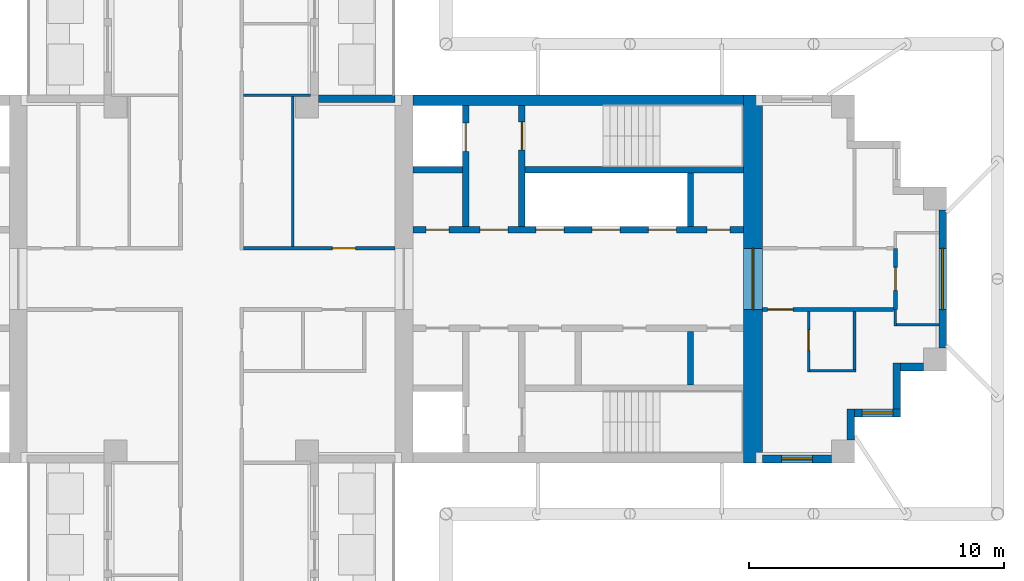
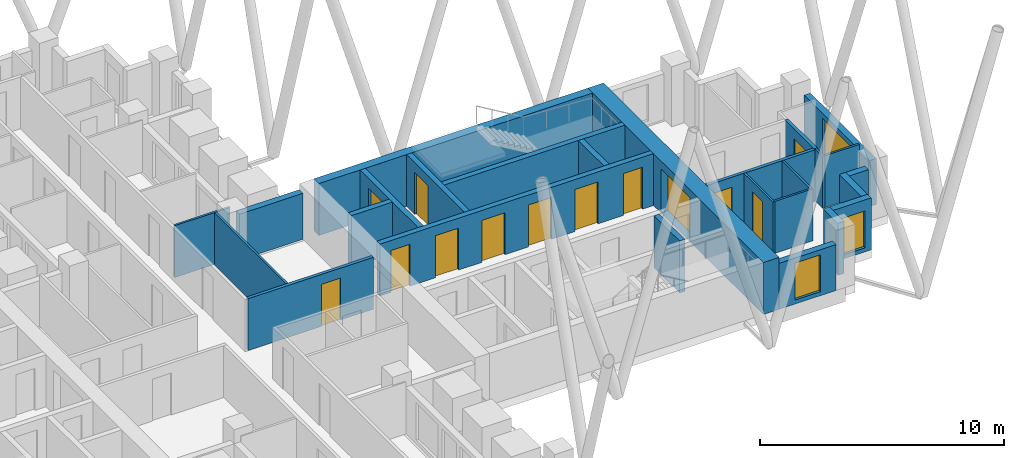
# One storey, part 6 of 11: 26 walls, 13 doors, 3 windows, 16 openings.
"""IFC4 building model written with IfcOpenShell, lengths in metres."""

from ifc_helpers import new_model, si_unit, direction, frame, frame_2d, origin, place, context, subcontext, project, spatial, rectangle, extrude, material, layer, layer_set, type_object, element, fill, save


model = new_model("IFC4")

# Units and contexts
model_context = context("Model", 3, precision=1e-05, world=origin(), true_north=direction((0.0, 1.0)))
body_context = subcontext(model_context, "Body", "Model", "MODEL_VIEW")
ifc_project = project(units=[si_unit("LENGTHUNIT", "METRE"), si_unit("AREAUNIT", "SQUARE_METRE"), si_unit("VOLUMEUNIT", "CUBIC_METRE"), si_unit("PLANEANGLEUNIT", "RADIAN"), si_unit("MASSUNIT", "GRAM", prefix="KILO")], contexts=[model_context])

# Site, building, storey
site_placement = place(None, origin())
site = spatial("IfcSite", under=ifc_project, at=site_placement, CompositionType="ELEMENT")
building_placement = place(site_placement, origin())
building = spatial("IfcBuilding", under=site, at=building_placement, Name="Fustian Cross Tower", CompositionType="ELEMENT")
storey_placement = place(building_placement, frame((0.0, 0.0, 210.89990234375)))
storey = spatial("IfcBuildingStorey", under=building, at=storey_placement, Name="L66", CompositionType="ELEMENT", Elevation=210.89990234375)

# Wall, opening, door
ifc_material_1 = material(Name="Plasterboard on steel stud", Category="steel")
ifc_layer_1 = layer(ifc_material_1, 0.14990234375)
ifc_layer_set_1 = layer_set([ifc_layer_1], Name="Plasterboard on steel stud")
wall_type_1 = type_object("IfcWallType", Name="COMPARTMENT WALL 150 EI 60", PredefinedType="PARTITIONING", material=ifc_layer_set_1)
wall_1_placement = place(storey_placement, frame((1.27490234375, 1.199951171875, 0.0), z_axis=(0.0, 0.0, 1.0), x_axis=(1.0, 0.0, 0.0)))
wall_1 = element("IfcWall", 1, at=wall_1_placement, inside=storey, type_object=wall_type_1, Name="Partition 39", PredefinedType="PARTITIONING", context=body_context, shape_type="SweptSolid", body=[
    extrude(rectangle(XDim=5.925048828125, YDim=0.14990234375, at=frame_2d((2.96240234375, 0.0))), origin(), (0.0, 0.0, 1.0), 2.60009765625),
])
opening_1_placement = place(wall_1_placement, frame((3.47509765625, 0.0, 0.0)))
opening_1 = element("IfcOpeningElement", 2, at=opening_1_placement, cuts=wall_1, Name="Opening D30002", PredefinedType="OPENING", context=body_context, shape_type="SweptSolid", body=[
    extrude(rectangle(XDim=0.89990234375, YDim=2.10009765625, at=frame_2d((0.449951171875, 1.050048828125))), frame((0.0, 0.0849609375, 0.0), z_axis=(0.0, -1.0, 0.0), x_axis=(1.0, 0.0, 0.0)), (0.0, 0.0, 1.0), 0.169921875),
])
ifc_material_2 = material(Name="Timber fire door set", Category="wood")
door_type_1 = type_object("IfcDoorType", Name="FIRE SWING DOOR 900 FD30S", OperationType="SINGLE_SWING_LEFT", PredefinedType="DOOR", material=ifc_material_2)
door_1_placement = place(opening_1_placement, origin())
door_1 = element("IfcDoor", 3, at=door_1_placement, inside=storey, type_object=door_type_1, Name="Door D30002", OperationType="SINGLE_SWING_LEFT", OverallHeight=2.10009765625, OverallWidth=0.89990234375, PredefinedType="DOOR", context=body_context, shape_type="SweptSolid", body=[
    extrude(rectangle(XDim=0.89990234375, YDim=2.10009765625, at=frame_2d((0.449951171875, 1.050048828125))), frame((0.0, 0.02490234375, 0.0), z_axis=(0.0, -1.0, 0.0), x_axis=(1.0, 0.0, 0.0)), (0.0, 0.0, 1.0), 0.050048828125),
])
fill(opening_1, door_1)

wall_2_placement = place(storey_placement, frame((21.60009765625, -1.199951171875, 0.0), z_axis=(0.0, 0.0, 1.0), x_axis=(1.0, 0.0, 0.0)))
wall_2 = element("IfcWall", 4, at=wall_2_placement, inside=storey, type_object=wall_type_1, Name="Partition 52", PredefinedType="PARTITIONING", context=body_context, shape_type="SweptSolid", body=[
    extrude(rectangle(XDim=5.125, YDim=0.14990234375, at=frame_2d((2.5625, 0.0))), origin(), (0.0, 0.0, 1.0), 2.60009765625),
])
opening_2_placement = place(wall_2_placement, frame((0.199951171875, 0.0, 0.0)))
opening_2 = element("IfcOpeningElement", 5, at=opening_2_placement, cuts=wall_2, Name="Opening D30014", PredefinedType="OPENING", context=body_context, shape_type="SweptSolid", body=[
    extrude(rectangle(XDim=1.0, YDim=2.10009765625, at=frame_2d((0.5, 1.050048828125))), frame((0.0, 0.0849609375, 0.0), z_axis=(0.0, -1.0, 0.0), x_axis=(1.0, 0.0, 0.0)), (0.0, 0.0, 1.0), 0.169921875),
])
ifc_material_3 = material(Name="Timber fire door set", Category="wood")
door_type_2 = type_object("IfcDoorType", Name="FIRE SWING DOOR 1000 FD30S", OperationType="SINGLE_SWING_LEFT", PredefinedType="DOOR", material=ifc_material_3)
door_2_placement = place(opening_2_placement, frame((1.0, 0.0, 0.0), z_axis=(0.0, 0.0, 1.0), x_axis=(-1.0, 0.0, 0.0)))
door_2 = element("IfcDoor", 6, at=door_2_placement, inside=storey, type_object=door_type_2, Name="Door D30014", OperationType="SINGLE_SWING_RIGHT", OverallHeight=2.10009765625, OverallWidth=1.0, PredefinedType="DOOR", context=body_context, shape_type="SweptSolid", body=[
    extrude(rectangle(XDim=1.0, YDim=2.10009765625, at=frame_2d((0.5, 1.050048828125))), frame((0.0, 0.02490234375, 0.0), z_axis=(0.0, -1.0, 0.0), x_axis=(1.0, 0.0, 0.0)), (0.0, 0.0, 1.0), 0.050048828125),
])
fill(opening_2, door_2)

wall_3_placement = place(storey_placement, frame((26.800048828125, -1.199951171875, 0.0), z_axis=(0.0, 0.0, 1.0), x_axis=(0.0, 1.0, 0.0)))
wall_3 = element("IfcWall", 7, at=wall_3_placement, inside=storey, type_object=wall_type_1, Name="Partition 60", PredefinedType="PARTITIONING", context=body_context, shape_type="SweptSolid", body=[
    extrude(rectangle(XDim=2.39990234375, YDim=0.14990234375, at=frame_2d((1.199951171875, 0.0))), origin(), (0.0, 0.0, 1.0), 2.60009765625),
])
opening_3_placement = place(wall_3_placement, frame((0.75, 0.0, 0.0)))
opening_3 = element("IfcOpeningElement", 8, at=opening_3_placement, cuts=wall_3, Name="Opening D30010", PredefinedType="OPENING", context=body_context, shape_type="SweptSolid", body=[
    extrude(rectangle(XDim=0.89990234375, YDim=2.10009765625, at=frame_2d((0.449951171875, 1.050048828125))), frame((0.0, 0.0849609375, 0.0), z_axis=(0.0, -1.0, 0.0), x_axis=(1.0, 0.0, 0.0)), (0.0, 0.0, 1.0), 0.169921875),
])
door_3_placement = place(opening_3_placement, frame((0.89990234375, 0.0, 0.0), z_axis=(0.0, 0.0, 1.0), x_axis=(-1.0, 0.0, 0.0)))
door_3 = element("IfcDoor", 9, at=door_3_placement, inside=storey, type_object=door_type_1, Name="Door D30010", OperationType="SINGLE_SWING_RIGHT", OverallHeight=2.10009765625, OverallWidth=0.89990234375, PredefinedType="DOOR", context=body_context, shape_type="SweptSolid", body=[
    extrude(rectangle(XDim=0.89990234375, YDim=2.10009765625, at=frame_2d((0.449951171875, 1.050048828125))), frame((0.0, 0.02490234375, 0.0), z_axis=(0.0, -1.0, 0.0), x_axis=(1.0, 0.0, 0.0)), (0.0, 0.0, 1.0), 0.050048828125),
])
fill(opening_3, door_3)

ifc_material_4 = material(Name="Concrete C50/60", Category="concrete")
ifc_layer_2 = layer(ifc_material_4, 0.75)
ifc_layer_set_2 = layer_set([ifc_layer_2], Name="Concrete C50/60")
wall_type_2 = type_object("IfcWallType", Name="CORE END WALL 750 C50/60", PredefinedType="SHEAR", material=ifc_layer_set_2)
wall_4_placement = place(storey_placement, frame((21.22509765625, -7.199951171875, 0.0), z_axis=(0.0, 0.0, 1.0), x_axis=(0.0, 1.0, 0.0)))
wall_4 = element("IfcWall", 10, at=wall_4_placement, inside=storey, type_object=wall_type_2, Name="Core end wall", PredefinedType="SHEAR", context=body_context, shape_type="SweptSolid", body=[
    extrude(rectangle(XDim=14.39990234375, YDim=0.75, at=frame_2d((7.199951171875, 0.0))), origin(), (0.0, 0.0, 1.0), 2.60009765625),
])
opening_4_placement = place(wall_4_placement, frame((6.0, 0.0, 0.0)))
opening_4 = element("IfcOpeningElement", 11, at=opening_4_placement, cuts=wall_4, Name="Opening CD-28-13", PredefinedType="OPENING", context=body_context, shape_type="SweptSolid", body=[
    extrude(rectangle(XDim=2.39990234375, YDim=2.199951171875, at=frame_2d((1.199951171875, 1.10009765625))), frame((0.0, 0.385009765625, 0.0), z_axis=(0.0, -1.0, 0.0), x_axis=(1.0, 0.0, 0.0)), (0.0, 0.0, 1.0), 0.77001953125),
])
ifc_material_5 = material(Name="Steel", Category="steel")
door_type_3 = type_object("IfcDoorType", Name="FIRE DOOR FD30S DOUBLE 2400X2200", OperationType="DOUBLE_DOOR_DOUBLE_SWING", PredefinedType="DOOR", material=ifc_material_5)
door_4_placement = place(opening_4_placement, origin())
door_4 = element("IfcDoor", 12, at=door_4_placement, inside=storey, type_object=door_type_3, Name="Core door CD-28-13", OperationType="DOUBLE_DOOR_DOUBLE_SWING", OverallHeight=2.199951171875, OverallWidth=2.39990234375, PredefinedType="DOOR", context=body_context, shape_type="SweptSolid", body=[
    extrude(rectangle(XDim=2.39990234375, YDim=2.199951171875, at=frame_2d((1.199951171875, 1.10009765625))), frame((0.0, 0.02490234375, 0.0), z_axis=(0.0, -1.0, 0.0), x_axis=(1.0, 0.0, 0.0)), (0.0, 0.0, 1.0), 0.050048828125),
])
fill(opening_4, door_4)

# Wall
ifc_material_6 = material(Name="Concrete C50/60", Category="concrete")
ifc_layer_3 = layer(ifc_material_6, 0.39990234375)
ifc_layer_set_3 = layer_set([ifc_layer_3], Name="Concrete C50/60")
wall_type_3 = type_object("IfcWallType", Name="CORE FACADE WALL 400 C50/60", PredefinedType="SHEAR", material=ifc_layer_set_3)
wall_5_placement = place(storey_placement, frame((7.89990234375, 7.0, 0.0), z_axis=(0.0, 0.0, 1.0), x_axis=(1.0, 0.0, 0.0)))
element("IfcWall", 13, at=wall_5_placement, inside=storey, type_object=wall_type_3, Name="Core facade wall", PredefinedType="SHEAR", context=body_context, shape_type="SweptSolid", body=[
    extrude(rectangle(XDim=12.9501953125, YDim=0.39990234375, at=frame_2d((6.47509765625, 0.0))), origin(), (0.0, 0.0, 1.0), 2.60009765625),
])

# Wall, openings, doors
ifc_material_7 = material(Name="Concrete C50/60", Category="concrete")
ifc_layer_4 = layer(ifc_material_7, 0.25)
ifc_layer_set_4 = layer_set([ifc_layer_4], Name="Concrete C50/60")
wall_type_4 = type_object("IfcWallType", Name="CORE LOBBY WALL 250 C50/60", PredefinedType="SHEAR", material=ifc_layer_set_4)
wall_6_placement = place(storey_placement, frame((7.89990234375, 1.925048828125, 0.0), z_axis=(0.0, 0.0, 1.0), x_axis=(1.0, 0.0, 0.0)))
wall_6 = element("IfcWall", 14, at=wall_6_placement, inside=storey, type_object=wall_type_4, Name="Core lobby wall", PredefinedType="SHEAR", context=body_context, shape_type="SweptSolid", body=[
    extrude(rectangle(XDim=12.9501953125, YDim=0.25, at=frame_2d((6.47509765625, 0.0))), origin(), (0.0, 0.0, 1.0), 2.60009765625),
])
opening_5_placement = place(wall_6_placement, frame((4.824951171875, 0.0, 0.0)))
opening_5 = element("IfcOpeningElement", 15, at=opening_5_placement, cuts=wall_6, Name="Opening LD", PredefinedType="OPENING", context=body_context, shape_type="SweptSolid", body=[
    extrude(rectangle(XDim=1.10009765625, YDim=2.10009765625, at=frame_2d((0.550048828125, 1.050048828125))), frame((0.0, 0.135009765625, 0.0), z_axis=(0.0, -1.0, 0.0), x_axis=(1.0, 0.0, 0.0)), (0.0, 0.0, 1.0), 0.27001953125),
])
opening_6_placement = place(wall_6_placement, frame((7.02490234375, 0.0, 0.0)))
opening_6 = element("IfcOpeningElement", 16, at=opening_6_placement, cuts=wall_6, Name="Opening LD", PredefinedType="OPENING", context=body_context, shape_type="SweptSolid", body=[
    extrude(rectangle(XDim=1.10009765625, YDim=2.10009765625, at=frame_2d((0.550048828125, 1.050048828125))), frame((0.0, 0.135009765625, 0.0), z_axis=(0.0, -1.0, 0.0), x_axis=(1.0, 0.0, 0.0)), (0.0, 0.0, 1.0), 0.27001953125),
])
opening_7_placement = place(wall_6_placement, frame((9.22509765625, 0.0, 0.0)))
opening_7 = element("IfcOpeningElement", 17, at=opening_7_placement, cuts=wall_6, Name="Opening LD", PredefinedType="OPENING", context=body_context, shape_type="SweptSolid", body=[
    extrude(rectangle(XDim=1.10009765625, YDim=2.10009765625, at=frame_2d((0.550048828125, 1.050048828125))), frame((0.0, 0.135009765625, 0.0), z_axis=(0.0, -1.0, 0.0), x_axis=(1.0, 0.0, 0.0)), (0.0, 0.0, 1.0), 0.27001953125),
])
opening_8_placement = place(wall_6_placement, frame((0.52490234375, 0.0, 0.0)))
opening_8 = element("IfcOpeningElement", 18, at=opening_8_placement, cuts=wall_6, Name="Opening CD-28-08", PredefinedType="OPENING", context=body_context, shape_type="SweptSolid", body=[
    extrude(rectangle(XDim=0.89990234375, YDim=2.10009765625, at=frame_2d((0.449951171875, 1.050048828125))), frame((0.0, 0.135009765625, 0.0), z_axis=(0.0, -1.0, 0.0), x_axis=(1.0, 0.0, 0.0)), (0.0, 0.0, 1.0), 0.27001953125),
])
opening_9_placement = place(wall_6_placement, frame((2.625, 0.0, 0.0)))
opening_9 = element("IfcOpeningElement", 19, at=opening_9_placement, cuts=wall_6, Name="Opening CD-28-10", PredefinedType="OPENING", context=body_context, shape_type="SweptSolid", body=[
    extrude(rectangle(XDim=1.10009765625, YDim=2.10009765625, at=frame_2d((0.550048828125, 1.050048828125))), frame((0.0, 0.135009765625, 0.0), z_axis=(0.0, -1.0, 0.0), x_axis=(1.0, 0.0, 0.0)), (0.0, 0.0, 1.0), 0.27001953125),
])
opening_10_placement = place(wall_6_placement, frame((11.52490234375, 0.0, 0.0)))
opening_10 = element("IfcOpeningElement", 20, at=opening_10_placement, cuts=wall_6, Name="Opening CD-28-14", PredefinedType="OPENING", context=body_context, shape_type="SweptSolid", body=[
    extrude(rectangle(XDim=0.89990234375, YDim=2.10009765625, at=frame_2d((0.449951171875, 1.050048828125))), frame((0.0, 0.135009765625, 0.0), z_axis=(0.0, -1.0, 0.0), x_axis=(1.0, 0.0, 0.0)), (0.0, 0.0, 1.0), 0.27001953125),
])
ifc_material_8 = material(Name="Steel", Category="steel")
door_type_4 = type_object("IfcDoorType", Name="FIRE DOOR FD30S 900X2100", OperationType="SINGLE_SWING_LEFT", PredefinedType="DOOR", material=ifc_material_8)
door_5_placement = place(opening_10_placement, origin())
door_5 = element("IfcDoor", 21, at=door_5_placement, inside=storey, type_object=door_type_4, Name="Core door CD-28-14", OperationType="SINGLE_SWING_LEFT", OverallHeight=2.10009765625, OverallWidth=0.89990234375, PredefinedType="DOOR", context=body_context, shape_type="SweptSolid", body=[
    extrude(rectangle(XDim=0.89990234375, YDim=2.10009765625, at=frame_2d((0.449951171875, 1.050048828125))), frame((0.0, 0.02490234375, 0.0), z_axis=(0.0, -1.0, 0.0), x_axis=(1.0, 0.0, 0.0)), (0.0, 0.0, 1.0), 0.050048828125),
])
fill(opening_10, door_5)
ifc_material_9 = material(Name="Steel", Category="steel")
door_type_5 = type_object("IfcDoorType", Name="FIRE DOOR FD60S 1100X2100", OperationType="SINGLE_SWING_LEFT", PredefinedType="DOOR", material=ifc_material_9)
door_6_placement = place(opening_9_placement, frame((1.10009765625, 0.0, 0.0), z_axis=(0.0, 0.0, 1.0), x_axis=(-1.0, 0.0, 0.0)))
door_6 = element("IfcDoor", 22, at=door_6_placement, inside=storey, type_object=door_type_5, Name="Core door CD-28-10", OperationType="SINGLE_SWING_RIGHT", OverallHeight=2.10009765625, OverallWidth=1.10009765625, PredefinedType="DOOR", context=body_context, shape_type="SweptSolid", body=[
    extrude(rectangle(XDim=1.10009765625, YDim=2.10009765625, at=frame_2d((0.550048828125, 1.050048828125))), frame((0.0, 0.02490234375, 0.0), z_axis=(0.0, -1.0, 0.0), x_axis=(1.0, 0.0, 0.0)), (0.0, 0.0, 1.0), 0.050048828125),
])
fill(opening_9, door_6)
ifc_material_10 = material(Name="Steel", Category="steel")
door_type_6 = type_object("IfcDoorType", Name="FIRE DOOR FD60S 900X2100", OperationType="SINGLE_SWING_LEFT", PredefinedType="DOOR", material=ifc_material_10)
door_7_placement = place(opening_8_placement, origin())
door_7 = element("IfcDoor", 23, at=door_7_placement, inside=storey, type_object=door_type_6, Name="Core door CD-28-08", OperationType="SINGLE_SWING_LEFT", OverallHeight=2.10009765625, OverallWidth=0.89990234375, PredefinedType="DOOR", context=body_context, shape_type="SweptSolid", body=[
    extrude(rectangle(XDim=0.89990234375, YDim=2.10009765625, at=frame_2d((0.449951171875, 1.050048828125))), frame((0.0, 0.02490234375, 0.0), z_axis=(0.0, -1.0, 0.0), x_axis=(1.0, 0.0, 0.0)), (0.0, 0.0, 1.0), 0.050048828125),
])
fill(opening_8, door_7)
ifc_material_11 = material(Name="Stainless steel", Category="steel")
door_type_7 = type_object("IfcDoorType", Name="LIFT LANDING DOOR 1100X2100", OperationType="SLIDING_TO_LEFT", PredefinedType="DOOR", material=ifc_material_11)
door_8_placement = place(opening_5_placement, origin())
door_8 = element("IfcDoor", 24, at=door_8_placement, inside=storey, type_object=door_type_7, Name="Landing door HR1", OperationType="SLIDING_TO_LEFT", OverallHeight=2.10009765625, OverallWidth=1.10009765625, PredefinedType="DOOR", context=body_context, shape_type="SweptSolid", body=[
    extrude(rectangle(XDim=1.10009765625, YDim=2.10009765625, at=frame_2d((0.550048828125, 1.050048828125))), frame((0.0, 0.02490234375, 0.0), z_axis=(0.0, -1.0, 0.0), x_axis=(1.0, 0.0, 0.0)), (0.0, 0.0, 1.0), 0.050048828125),
])
fill(opening_5, door_8)
door_9_placement = place(opening_6_placement, origin())
door_9 = element("IfcDoor", 25, at=door_9_placement, inside=storey, type_object=door_type_7, Name="Landing door HR2", OperationType="SLIDING_TO_LEFT", OverallHeight=2.10009765625, OverallWidth=1.10009765625, PredefinedType="DOOR", context=body_context, shape_type="SweptSolid", body=[
    extrude(rectangle(XDim=1.10009765625, YDim=2.10009765625, at=frame_2d((0.550048828125, 1.050048828125))), frame((0.0, 0.02490234375, 0.0), z_axis=(0.0, -1.0, 0.0), x_axis=(1.0, 0.0, 0.0)), (0.0, 0.0, 1.0), 0.050048828125),
])
fill(opening_6, door_9)
door_10_placement = place(opening_7_placement, origin())
door_10 = element("IfcDoor", 26, at=door_10_placement, inside=storey, type_object=door_type_7, Name="Landing door HR3", OperationType="SLIDING_TO_LEFT", OverallHeight=2.10009765625, OverallWidth=1.10009765625, PredefinedType="DOOR", context=body_context, shape_type="SweptSolid", body=[
    extrude(rectangle(XDim=1.10009765625, YDim=2.10009765625, at=frame_2d((0.550048828125, 1.050048828125))), frame((0.0, 0.02490234375, 0.0), z_axis=(0.0, -1.0, 0.0), x_axis=(1.0, 0.0, 0.0)), (0.0, 0.0, 1.0), 0.050048828125),
])
fill(opening_7, door_10)

# Walls
ifc_material_12 = material(Name="Concrete C50/60", Category="concrete")
ifc_layer_5 = layer(ifc_material_12, 0.25)
ifc_layer_set_5 = layer_set([ifc_layer_5], Name="Concrete C50/60")
wall_type_5 = type_object("IfcWallType", Name="CORE SHAFT WALL 250 C50/60", PredefinedType="SHEAR", material=ifc_layer_set_5)
wall_7_placement = place(storey_placement, frame((7.89990234375, 4.27490234375, 0.0), z_axis=(0.0, 0.0, 1.0), x_axis=(1.0, 0.0, 0.0)))
element("IfcWall", 27, at=wall_7_placement, inside=storey, type_object=wall_type_5, Name="Core shaft wall", PredefinedType="SHEAR", context=body_context, shape_type="SweptSolid", body=[
    extrude(rectangle(XDim=1.9501953125, YDim=0.25, at=frame_2d((0.97509765625, 0.0))), origin(), (0.0, 0.0, 1.0), 2.60009765625),
])
wall_8_placement = place(storey_placement, frame((12.300048828125, 4.27490234375, 0.0), z_axis=(0.0, 0.0, 1.0), x_axis=(1.0, 0.0, 0.0)))
element("IfcWall", 28, at=wall_8_placement, inside=storey, type_object=wall_type_5, Name="Core shaft wall", PredefinedType="SHEAR", context=body_context, shape_type="SweptSolid", body=[
    extrude(rectangle(XDim=8.550048828125, YDim=0.25, at=frame_2d((4.27490234375, 0.0))), origin(), (0.0, 0.0, 1.0), 2.60009765625),
])

# Wall, opening, door
wall_9_placement = place(storey_placement, frame((9.97509765625, 2.050048828125, 0.0), z_axis=(0.0, 0.0, 1.0), x_axis=(0.0, 1.0, 0.0)))
wall_9 = element("IfcWall", 29, at=wall_9_placement, inside=storey, type_object=wall_type_5, Name="Core shaft wall", PredefinedType="SHEAR", context=body_context, shape_type="SweptSolid", body=[
    extrude(rectangle(XDim=4.75, YDim=0.25, at=frame_2d((2.375, 0.0))), origin(), (0.0, 0.0, 1.0), 2.60009765625),
])
opening_11_placement = place(wall_9_placement, frame((2.949951171875, 0.0, 0.0)))
opening_11 = element("IfcOpeningElement", 30, at=opening_11_placement, cuts=wall_9, Name="Opening LD", PredefinedType="OPENING", context=body_context, shape_type="SweptSolid", body=[
    extrude(rectangle(XDim=1.10009765625, YDim=2.10009765625, at=frame_2d((0.550048828125, 1.050048828125))), frame((0.0, 0.135009765625, 0.0), z_axis=(0.0, -1.0, 0.0), x_axis=(1.0, 0.0, 0.0)), (0.0, 0.0, 1.0), 0.27001953125),
])
door_11_placement = place(opening_11_placement, origin())
door_11 = element("IfcDoor", 31, at=door_11_placement, inside=storey, type_object=door_type_7, Name="Landing door FL1", OperationType="SLIDING_TO_LEFT", OverallHeight=2.10009765625, OverallWidth=1.10009765625, PredefinedType="DOOR", context=body_context, shape_type="SweptSolid", body=[
    extrude(rectangle(XDim=1.10009765625, YDim=2.10009765625, at=frame_2d((0.550048828125, 1.050048828125))), frame((0.0, 0.02490234375, 0.0), z_axis=(0.0, -1.0, 0.0), x_axis=(1.0, 0.0, 0.0)), (0.0, 0.0, 1.0), 0.050048828125),
])
fill(opening_11, door_11)

wall_10_placement = place(storey_placement, frame((12.175048828125, 2.050048828125, 0.0), z_axis=(0.0, 0.0, 1.0), x_axis=(0.0, 1.0, 0.0)))
wall_10 = element("IfcWall", 32, at=wall_10_placement, inside=storey, type_object=wall_type_5, Name="Core shaft wall", PredefinedType="SHEAR", context=body_context, shape_type="SweptSolid", body=[
    extrude(rectangle(XDim=4.75, YDim=0.25, at=frame_2d((2.375, 0.0))), origin(), (0.0, 0.0, 1.0), 2.60009765625),
])
opening_12_placement = place(wall_10_placement, frame((3.0, 0.0, 0.0)))
opening_12 = element("IfcOpeningElement", 33, at=opening_12_placement, cuts=wall_10, Name="Opening CD-28-06", PredefinedType="OPENING", context=body_context, shape_type="SweptSolid", body=[
    extrude(rectangle(XDim=1.10009765625, YDim=2.10009765625, at=frame_2d((0.550048828125, 1.050048828125))), frame((0.0, 0.135009765625, 0.0), z_axis=(0.0, -1.0, 0.0), x_axis=(1.0, 0.0, 0.0)), (0.0, 0.0, 1.0), 0.27001953125),
])
door_12_placement = place(opening_12_placement, frame((1.10009765625, 0.0, 0.0), z_axis=(0.0, 0.0, 1.0), x_axis=(-1.0, 0.0, 0.0)))
door_12 = element("IfcDoor", 34, at=door_12_placement, inside=storey, type_object=door_type_5, Name="Core door CD-28-06", OperationType="SINGLE_SWING_RIGHT", OverallHeight=2.10009765625, OverallWidth=1.10009765625, PredefinedType="DOOR", context=body_context, shape_type="SweptSolid", body=[
    extrude(rectangle(XDim=1.10009765625, YDim=2.10009765625, at=frame_2d((0.550048828125, 1.050048828125))), frame((0.0, 0.02490234375, 0.0), z_axis=(0.0, -1.0, 0.0), x_axis=(1.0, 0.0, 0.0)), (0.0, 0.0, 1.0), 0.050048828125),
])
fill(opening_12, door_12)

# Walls
ifc_material_13 = material(Name="Plasterboard on steel stud", Category="steel")
ifc_layer_6 = layer(ifc_material_13, 0.10009765625)
ifc_layer_set_6 = layer_set([ifc_layer_6], Name="Plasterboard on steel stud")
wall_type_6 = type_object("IfcWallType", Name="PARTITION 100 STUD", PredefinedType="PARTITIONING", material=ifc_layer_set_6)
wall_11_placement = place(storey_placement, frame((1.27490234375, 7.199951171875, 0.0), z_axis=(0.0, 0.0, 1.0), x_axis=(1.0, 0.0, 0.0)))
element("IfcWall", 35, at=wall_11_placement, inside=storey, type_object=wall_type_6, Name="Partition 40", PredefinedType="PARTITIONING", context=body_context, shape_type="SweptSolid", body=[
    extrude(rectangle(XDim=2.625, YDim=0.10009765625, at=frame_2d((1.3125, 0.0))), origin(), (0.0, 0.0, 1.0), 2.60009765625),
])
wall_12_placement = place(storey_placement, frame((3.199951171875, 1.27490234375, 0.0), z_axis=(0.0, 0.0, 1.0), x_axis=(0.0, 1.0, 0.0)))
element("IfcWall", 36, at=wall_12_placement, inside=storey, type_object=wall_type_6, Name="Partition 48", PredefinedType="PARTITIONING", context=body_context, shape_type="SweptSolid", body=[
    extrude(rectangle(XDim=5.875, YDim=0.10009765625, at=frame_2d((2.9375, 0.0))), origin(), (0.0, 0.0, 1.0), 2.60009765625),
])

# Wall, opening, door
wall_13_placement = place(storey_placement, frame((23.39990234375, -3.64990234375, 0.0), z_axis=(0.0, 0.0, 1.0), x_axis=(0.0, 1.0, 0.0)))
wall_13 = element("IfcWall", 37, at=wall_13_placement, inside=storey, type_object=wall_type_6, Name="Partition 54", PredefinedType="PARTITIONING", context=body_context, shape_type="SweptSolid", body=[
    extrude(rectangle(XDim=2.375, YDim=0.10009765625, at=frame_2d((1.1875, 0.0))), origin(), (0.0, 0.0, 1.0), 2.60009765625),
])
opening_13_placement = place(wall_13_placement, frame((0.85009765625, 0.0, 0.0)))
opening_13 = element("IfcOpeningElement", 38, at=opening_13_placement, cuts=wall_13, Name="Opening D30013", PredefinedType="OPENING", context=body_context, shape_type="SweptSolid", body=[
    extrude(rectangle(XDim=0.800048828125, YDim=2.10009765625, at=frame_2d((0.39990234375, 1.050048828125))), frame((0.0, 0.06005859375, 0.0), z_axis=(0.0, -1.0, 0.0), x_axis=(1.0, 0.0, 0.0)), (0.0, 0.0, 1.0), 0.1201171875),
])
ifc_material_14 = material(Name="Painted timber", Category="wood")
door_type_8 = type_object("IfcDoorType", Name="SWING DOOR 800", OperationType="SINGLE_SWING_LEFT", PredefinedType="DOOR", material=ifc_material_14)
door_13_placement = place(opening_13_placement, frame((0.800048828125, 0.0, 0.0), z_axis=(0.0, 0.0, 1.0), x_axis=(-1.0, 0.0, 0.0)))
door_13 = element("IfcDoor", 39, at=door_13_placement, inside=storey, type_object=door_type_8, Name="Door D30013", OperationType="SINGLE_SWING_RIGHT", OverallHeight=2.10009765625, OverallWidth=0.800048828125, PredefinedType="DOOR", context=body_context, shape_type="SweptSolid", body=[
    extrude(rectangle(XDim=0.800048828125, YDim=2.10009765625, at=frame_2d((0.39990234375, 1.050048828125))), frame((0.0, 0.02490234375, 0.0), z_axis=(0.0, -1.0, 0.0), x_axis=(1.0, 0.0, 0.0)), (0.0, 0.0, 1.0), 0.050048828125),
])
fill(opening_13, door_13)

# Walls
wall_14_placement = place(storey_placement, frame((23.449951171875, -3.60009765625, 0.0), z_axis=(0.0, 0.0, 1.0), x_axis=(1.0, 0.0, 0.0)))
element("IfcWall", 40, at=wall_14_placement, inside=storey, type_object=wall_type_6, Name="Partition 55", PredefinedType="PARTITIONING", context=body_context, shape_type="SweptSolid", body=[
    extrude(rectangle(XDim=1.800048828125, YDim=0.10009765625, at=frame_2d((0.89990234375, 0.0))), origin(), (0.0, 0.0, 1.0), 2.60009765625),
])
wall_15_placement = place(storey_placement, frame((25.199951171875, -3.550048828125, 0.0), z_axis=(0.0, 0.0, 1.0), x_axis=(0.0, 1.0, 0.0)))
element("IfcWall", 41, at=wall_15_placement, inside=storey, type_object=wall_type_6, Name="Partition 56", PredefinedType="PARTITIONING", context=body_context, shape_type="SweptSolid", body=[
    extrude(rectangle(XDim=2.275146484375, YDim=0.10009765625, at=frame_2d((1.1376953125, 0.0))), origin(), (0.0, 0.0, 1.0), 2.60009765625),
])
wall_16_placement = place(storey_placement, frame((26.800048828125, -1.85009765625, 0.0), z_axis=(0.0, 0.0, 1.0), x_axis=(0.0, 1.0, 0.0)))
element("IfcWall", 42, at=wall_16_placement, inside=storey, type_object=wall_type_6, Name="Partition 58", PredefinedType="PARTITIONING", context=body_context, shape_type="SweptSolid", body=[
    extrude(rectangle(XDim=0.650146484375, YDim=0.10009765625, at=frame_2d((0.3251953125, 0.0))), origin(), (0.0, 0.0, 1.0), 2.60009765625),
])
wall_17_placement = place(storey_placement, frame((26.85009765625, -1.800048828125, 0.0), z_axis=(0.0, 0.0, 1.0), x_axis=(1.0, 0.0, 0.0)))
element("IfcWall", 43, at=wall_17_placement, inside=storey, type_object=wall_type_6, Name="Partition 59", PredefinedType="PARTITIONING", context=body_context, shape_type="SweptSolid", body=[
    extrude(rectangle(XDim=1.64990234375, YDim=0.10009765625, at=frame_2d((0.824951171875, 0.0))), origin(), (0.0, 0.0, 1.0), 2.60009765625),
])
ifc_material_15 = material(Name="Concrete C40/50", Category="concrete")
ifc_layer_7 = layer(ifc_material_15, 0.25)
ifc_layer_set_7 = layer_set([ifc_layer_7], Name="Concrete C40/50")
wall_type_7 = type_object("IfcWallType", Name="SHAFT PARTITION WALL 250 C40/50", PredefinedType="PARTITIONING", material=ifc_layer_set_7)
for number, where, z_axis, x_axis, name in (
    (44, (18.77490234375, 2.050048828125, 0.0), (0.0, 0.0, 1.0), (0.0, 1.0, 0.0), "Core shaft wall"),
    (45, (18.77490234375, -2.050048828125, 0.0), (0.0, 0.0, 1.0), (0.0, -1.0, 0.0), "Core shaft wall"),
):
    element("IfcWall", number, at=place(storey_placement, frame(where, z_axis=z_axis, x_axis=x_axis)), inside=storey, type_object=wall_type_7, Name=name, PredefinedType="PARTITIONING", context=body_context, shape_type="SweptSolid", body=[
        extrude(rectangle(XDim=2.099853515625, YDim=0.25, at=frame_2d((1.0498046875, 0.0))), origin(), (0.0, 0.0, 1.0), 2.60009765625),
    ])

# Wall, opening, window
ifc_material_16 = material(Name="Dark aluminium cladding on insulated backing wall", Category="aluminium")
ifc_layer_8 = layer(ifc_material_16, 0.300048828125)
ifc_layer_set_8 = layer_set([ifc_layer_8], Name="Dark aluminium cladding on insulated backing wall")
wall_type_8 = type_object("IfcWallType", Name="XW1 EXTERNAL WALL 300", PredefinedType="SOLIDWALL", material=ifc_layer_set_8)
wall_18_placement = place(storey_placement, frame((21.60009765625, -7.050048828125, 0.0), z_axis=(0.0, 0.0, 1.0), x_axis=(1.0, 0.0, 0.0)))
wall_18 = element("IfcWall", 46, at=wall_18_placement, inside=storey, type_object=wall_type_8, Name="External wall", PredefinedType="SOLIDWALL", context=body_context, shape_type="SweptSolid", body=[
    extrude(rectangle(XDim=2.699951171875, YDim=0.300048828125, at=frame_2d((1.35009765625, 0.0))), origin(), (0.0, 0.0, 1.0), 2.300048828125),
])
opening_14_placement = place(wall_18_placement, frame((0.75, 0.0, 0.199951171875)))
opening_14 = element("IfcOpeningElement", 47, at=opening_14_placement, cuts=wall_18, Name="Opening WN3", PredefinedType="OPENING", context=body_context, shape_type="SweptSolid", body=[
    extrude(rectangle(XDim=1.199951171875, YDim=1.85009765625, at=frame_2d((0.60009765625, 0.925048828125))), frame((0.0, 0.159912109375, 0.0), z_axis=(0.0, -1.0, 0.0), x_axis=(1.0, 0.0, 0.0)), (0.0, 0.0, 1.0), 0.320068359375),
])
ifc_material_17 = material(Name="Dark anodised aluminium and double glazing", Category="aluminium")
window_type_1 = type_object("IfcWindowType", Name="WN3 WINDOW 1200X1850", PartitioningType="SINGLE_PANEL", PredefinedType="WINDOW", material=ifc_material_17)
window_1_placement = place(opening_14_placement, origin())
window_1 = element("IfcWindow", 48, at=window_1_placement, inside=storey, type_object=window_type_1, Name="Window", OverallHeight=1.85009765625, OverallWidth=1.199951171875, PartitioningType="SINGLE_PANEL", PredefinedType="WINDOW", context=body_context, shape_type="SweptSolid", body=[
    extrude(rectangle(XDim=1.199951171875, YDim=1.85009765625, at=frame_2d((0.60009765625, 0.925048828125))), frame((0.0, 0.030029296875, 0.0), z_axis=(0.0, -1.0, 0.0), x_axis=(1.0, 0.0, 0.0)), (0.0, 0.0, 1.0), 0.06005859375),
])
fill(opening_14, window_1)

# Wall
wall_19_placement = place(storey_placement, frame((25.050048828125, -6.300048828125, 0.0), z_axis=(0.0, 0.0, 1.0), x_axis=(0.0, 1.0, 0.0)))
element("IfcWall", 49, at=wall_19_placement, inside=storey, type_object=wall_type_8, Name="External wall", PredefinedType="SOLIDWALL", context=body_context, shape_type="SweptSolid", body=[
    extrude(rectangle(XDim=1.199951171875, YDim=0.300048828125, at=frame_2d((0.60009765625, 0.0))), origin(), (0.0, 0.0, 1.0), 2.60009765625),
])

# Wall, opening, window
wall_20_placement = place(storey_placement, frame((25.199951171875, -5.25, 0.0), z_axis=(0.0, 0.0, 1.0), x_axis=(1.0, 0.0, 0.0)))
wall_20 = element("IfcWall", 50, at=wall_20_placement, inside=storey, type_object=wall_type_8, Name="External wall", PredefinedType="SOLIDWALL", context=body_context, shape_type="SweptSolid", body=[
    extrude(rectangle(XDim=1.800048828125, YDim=0.300048828125, at=frame_2d((0.89990234375, 0.0))), origin(), (0.0, 0.0, 1.0), 2.60009765625),
])
opening_15_placement = place(wall_20_placement, frame((0.300048828125, 0.0, 0.199951171875)))
opening_15 = element("IfcOpeningElement", 51, at=opening_15_placement, cuts=wall_20, Name="Opening WN3", PredefinedType="OPENING", context=body_context, shape_type="SweptSolid", body=[
    extrude(rectangle(XDim=1.199951171875, YDim=1.85009765625, at=frame_2d((0.60009765625, 0.925048828125))), frame((0.0, 0.159912109375, 0.0), z_axis=(0.0, -1.0, 0.0), x_axis=(1.0, 0.0, 0.0)), (0.0, 0.0, 1.0), 0.320068359375),
])
window_2_placement = place(opening_15_placement, origin())
window_2 = element("IfcWindow", 52, at=window_2_placement, inside=storey, type_object=window_type_1, Name="Window", OverallHeight=1.85009765625, OverallWidth=1.199951171875, PartitioningType="SINGLE_PANEL", PredefinedType="WINDOW", context=body_context, shape_type="SweptSolid", body=[
    extrude(rectangle(XDim=1.199951171875, YDim=1.85009765625, at=frame_2d((0.60009765625, 0.925048828125))), frame((0.0, 0.030029296875, 0.0), z_axis=(0.0, -1.0, 0.0), x_axis=(1.0, 0.0, 0.0)), (0.0, 0.0, 1.0), 0.06005859375),
])
fill(opening_15, window_2)

# Walls
wall_21_placement = place(storey_placement, frame((26.85009765625, -5.10009765625, 0.0), z_axis=(0.0, 0.0, 1.0), x_axis=(0.0, 1.0, 0.0)))
element("IfcWall", 53, at=wall_21_placement, inside=storey, type_object=wall_type_8, Name="External wall", PredefinedType="SOLIDWALL", context=body_context, shape_type="SweptSolid", body=[
    extrude(rectangle(XDim=1.800048828125, YDim=0.300048828125, at=frame_2d((0.89990234375, 0.0))), origin(), (0.0, 0.0, 1.0), 2.60009765625),
])
wall_22_placement = place(storey_placement, frame((27.0, -3.449951171875, 0.0), z_axis=(0.0, 0.0, 1.0), x_axis=(1.0, 0.0, 0.0)))
element("IfcWall", 54, at=wall_22_placement, inside=storey, type_object=wall_type_8, Name="External wall", PredefinedType="SOLIDWALL", context=body_context, shape_type="SweptSolid", body=[
    extrude(rectangle(XDim=0.89990234375, YDim=0.300048828125, at=frame_2d((0.449951171875, 0.0))), origin(), (0.0, 0.0, 1.0), 2.60009765625),
])

# Wall, opening, window
wall_23_placement = place(storey_placement, frame((28.64990234375, -2.699951171875, 0.0), z_axis=(0.0, 0.0, 1.0), x_axis=(0.0, 1.0, 0.0)))
wall_23 = element("IfcWall", 55, at=wall_23_placement, inside=storey, type_object=wall_type_8, Name="External wall", PredefinedType="SOLIDWALL", context=body_context, shape_type="SweptSolid", body=[
    extrude(rectangle(XDim=5.39990234375, YDim=0.300048828125, at=frame_2d((2.699951171875, 0.0))), origin(), (0.0, 0.0, 1.0), 2.300048828125),
])
opening_16_placement = place(wall_23_placement, frame((1.5, 0.0, 0.199951171875)))
opening_16 = element("IfcOpeningElement", 56, at=opening_16_placement, cuts=wall_23, Name="Opening WN1", PredefinedType="OPENING", context=body_context, shape_type="SweptSolid", body=[
    extrude(rectangle(XDim=2.39990234375, YDim=1.85009765625, at=frame_2d((1.199951171875, 0.925048828125))), frame((0.0, 0.159912109375, 0.0), z_axis=(0.0, -1.0, 0.0), x_axis=(1.0, 0.0, 0.0)), (0.0, 0.0, 1.0), 0.320068359375),
])
ifc_material_18 = material(Name="Dark anodised aluminium and double glazing", Category="aluminium")
window_type_2 = type_object("IfcWindowType", Name="WN1 WINDOW 2400X1850", PartitioningType="SINGLE_PANEL", PredefinedType="WINDOW", material=ifc_material_18)
window_3_placement = place(opening_16_placement, origin())
window_3 = element("IfcWindow", 57, at=window_3_placement, inside=storey, type_object=window_type_2, Name="Window", OverallHeight=1.85009765625, OverallWidth=2.39990234375, PartitioningType="SINGLE_PANEL", PredefinedType="WINDOW", context=body_context, shape_type="SweptSolid", body=[
    extrude(rectangle(XDim=2.39990234375, YDim=1.85009765625, at=frame_2d((1.199951171875, 0.925048828125))), frame((0.0, 0.030029296875, 0.0), z_axis=(0.0, -1.0, 0.0), x_axis=(1.0, 0.0, 0.0)), (0.0, 0.0, 1.0), 0.06005859375),
])
fill(opening_16, window_3)

# Wall
wall_24_placement = place(storey_placement, frame((7.199951171875, 7.050048828125, 0.0), z_axis=(0.0, 0.0, 1.0), x_axis=(-1.0, 0.0, 0.0)))
element("IfcWall", 58, at=wall_24_placement, inside=storey, type_object=wall_type_8, Name="External wall", PredefinedType="SOLIDWALL", context=body_context, shape_type="SweptSolid", body=[
    extrude(rectangle(XDim=3.0, YDim=0.300048828125, at=frame_2d((1.5, 0.0))), origin(), (0.0, 0.0, 1.0), 2.300048828125),
])

save(model, "model.ifc")
